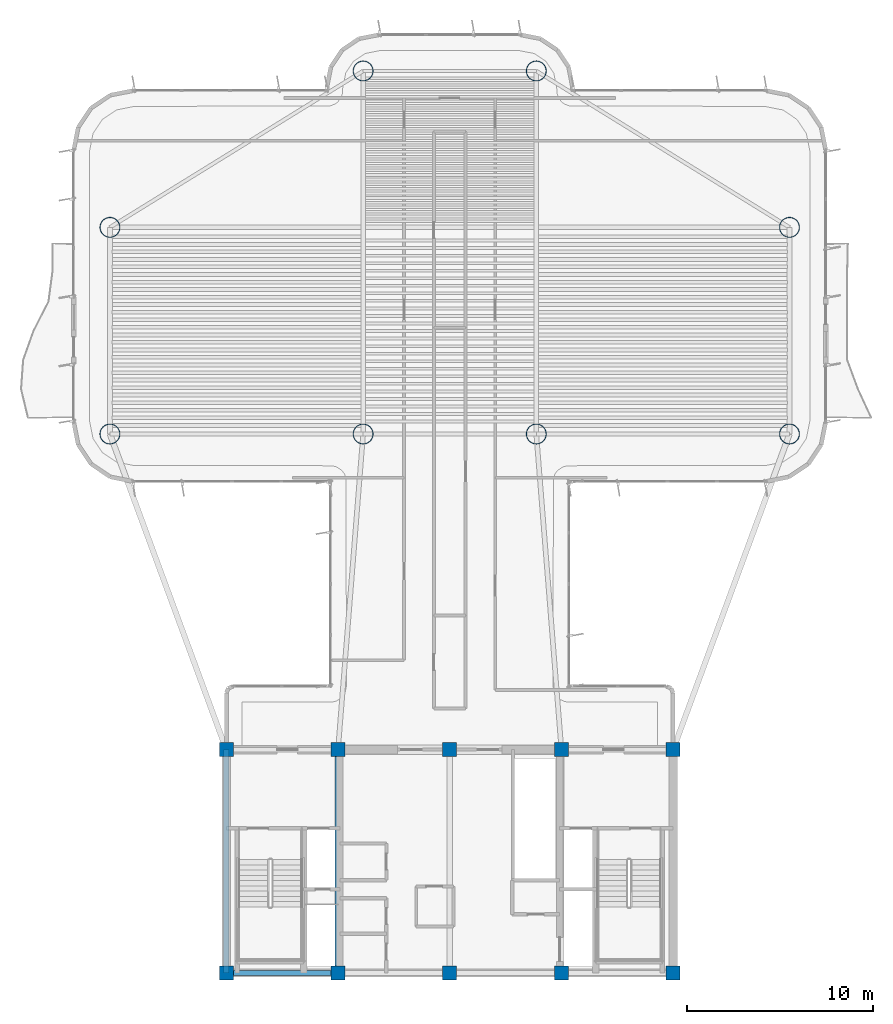
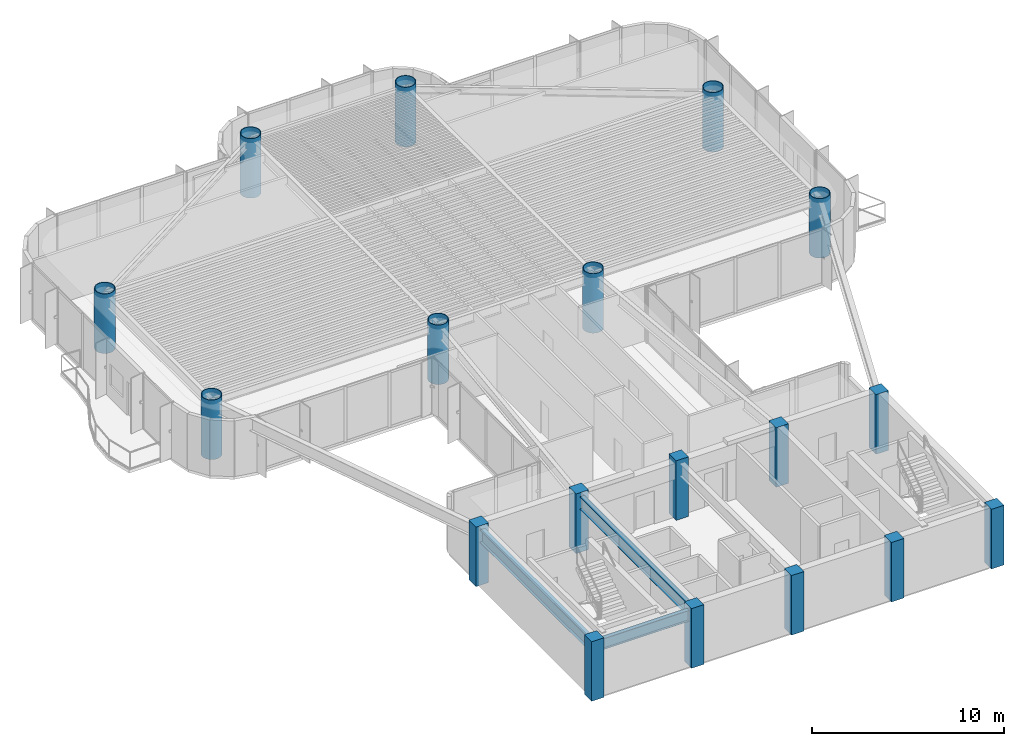
# One storey, part 1 of 13: 18 columns, 3 beams.
"""IFC4 building model written with IfcOpenShell, lengths in metres."""

from ifc_helpers import new_model, si_unit, direction, frame, origin, origin_2d, place, context, subcontext, project, spatial, rectangle, hollow_circle, i_section, extrude, source, transform, mapped, material, material_profile, profile_set, type_object, element, save


model = new_model("IFC4")

# Units and contexts
model_context = context("Model", 3, precision=1e-05, world=origin(), true_north=direction((0.0, 1.0)))
body_context = subcontext(model_context, "Body", "Model", "MODEL_VIEW")
ifc_project = project(units=[si_unit("LENGTHUNIT", "METRE"), si_unit("AREAUNIT", "SQUARE_METRE"), si_unit("VOLUMEUNIT", "CUBIC_METRE"), si_unit("PLANEANGLEUNIT", "RADIAN"), si_unit("MASSUNIT", "GRAM", prefix="KILO")], contexts=[model_context])

# Site, building, storey
site_placement = place(None, origin())
site = spatial("IfcSite", under=ifc_project, at=site_placement, CompositionType="ELEMENT")
building_placement = place(site_placement, origin())
building = spatial("IfcBuilding", under=site, at=building_placement, Name="Brelvock Crest Care Tower", CompositionType="ELEMENT")
storey_placement = place(building_placement, frame((0.0, 0.0, 190.43994140625)))
storey = spatial("IfcBuildingStorey", under=building, at=storey_placement, Name="L48", CompositionType="ELEMENT", Elevation=190.43994140625)

# Columns
ifc_material_1 = material(Name="Concrete S65 (65 MPa)", Category="concrete")
ifc_material_profile_1 = material_profile(ifc_material_1, rectangle(XDim=0.75, YDim=0.75, at=origin_2d()), Name="RC750x750")
ifc_profile_set_1 = profile_set([ifc_material_profile_1], Name="Concrete S65 (65 MPa)")
column_type_1 = type_object("IfcColumnType", Name="COL-RC3", PredefinedType="COLUMN", material=ifc_profile_set_1)
shared_shape_1 = source(origin(), body_context, "Body", "SweptSolid", [
    extrude(rectangle(XDim=0.75, YDim=0.75, at=origin_2d()), origin(), (0.0, 0.0, 1.0), 3.780029296875),
])
for number, where, z_axis, x_axis, name in (
    (1, (24.0, 6.0, 0.0), (0.0, 0.0, 1.0), (1.0, 0.0, 0.0), "L48 Core Column CC-01"),
    (2, (30.0, 6.0, 0.0), (0.0, 0.0, 1.0), (1.0, 0.0, 0.0), "L48 Core Column CC-02"),
    (3, (36.0, 6.0, 0.0), (0.0, 0.0, 1.0), (1.0, 0.0, 0.0), "L48 Core Column CC-03"),
    (4, (42.0, 6.0, 0.0), (0.0, 0.0, 1.0), (1.0, 0.0, 0.0), "L48 Core Column CC-04"),
    (5, (48.0, 6.0, 0.0), (0.0, 0.0, 1.0), (1.0, 0.0, 0.0), "L48 Core Column CC-05"),
    (6, (24.0, 18.0, 0.0), (0.0, 0.0, 1.0), (1.0, 0.0, 0.0), "L48 Core Column CC-06"),
    (7, (30.0, 18.0, 0.0), (0.0, 0.0, 1.0), (1.0, 0.0, 0.0), "L48 Core Column CC-07"),
    (8, (36.0, 18.0, 0.0), (0.0, 0.0, 1.0), (1.0, 0.0, 0.0), "L48 Core Column CC-08"),
    (9, (42.0, 18.0, 0.0), (0.0, 0.0, 1.0), (1.0, 0.0, 0.0), "L48 Core Column CC-09"),
    (10, (48.0, 18.0, 0.0), (0.0, 0.0, 1.0), (1.0, 0.0, 0.0), "L48 Core Column CC-10"),
):
    element("IfcColumn", number, at=place(storey_placement, frame(where, z_axis=z_axis, x_axis=x_axis)), inside=storey, type_object=column_type_1, Name=name, PredefinedType="COLUMN", context=body_context, shape_type="MappedRepresentation", body=[
        mapped(shared_shape_1, transform((0.0, 0.0, 0.0), x_axis=(1.0, 0.0, 0.0), y_axis=(0.0, 1.0, 0.0), z_axis=(0.0, 0.0, 1.0), scale=1.0)),
    ])
ifc_material_2 = material(Name="Steel Grade 350", Category="steel")
ifc_material_profile_2 = material_profile(ifc_material_2, hollow_circle(Radius=0.550048828125, WallThickness=0.0400390625, at=origin_2d()), Name="CFT1100x40")
ifc_profile_set_2 = profile_set([ifc_material_profile_2], Name="Steel Grade 350")
column_type_2 = type_object("IfcColumnType", Name="COL-MC3", PredefinedType="COLUMN", material=ifc_profile_set_2)
shared_shape_2 = source(origin(), body_context, "Body", "SweptSolid", [
    extrude(hollow_circle(Radius=0.550048828125, WallThickness=0.0400390625, at=origin_2d()), origin(), (0.0, 0.0, 1.0), 3.780029296875),
])
for number, where, z_axis, x_axis, name in (
    (11, (17.75, 34.949951171875, 0.0), (0.0, 0.0, 1.0), (1.0, 0.0, 0.0), "L48 Tower Column M1"),
    (12, (17.75, 46.050048828125, 0.0), (0.0, 0.0, 1.0), (1.0, 0.0, 0.0), "L48 Tower Column M2"),
    (13, (54.25, 34.949951171875, 0.0), (0.0, 0.0, 1.0), (1.0, 0.0, 0.0), "L48 Tower Column M3"),
    (14, (54.25, 46.050048828125, 0.0), (0.0, 0.0, 1.0), (1.0, 0.0, 0.0), "L48 Tower Column M4"),
    (15, (31.35009765625, 34.949951171875, 0.0), (0.0, 0.0, 1.0), (1.0, 0.0, 0.0), "L48 Tower Column M5"),
    (16, (40.64990234375, 34.949951171875, 0.0), (0.0, 0.0, 1.0), (1.0, 0.0, 0.0), "L48 Tower Column M6"),
    (17, (31.35009765625, 54.449951171875, 0.0), (0.0, 0.0, 1.0), (1.0, 0.0, 0.0), "L48 Tower Column M7"),
    (18, (40.64990234375, 54.449951171875, 0.0), (0.0, 0.0, 1.0), (1.0, 0.0, 0.0), "L48 Tower Column M8"),
):
    element("IfcColumn", number, at=place(storey_placement, frame(where, z_axis=z_axis, x_axis=x_axis)), inside=storey, type_object=column_type_2, Name=name, PredefinedType="COLUMN", context=body_context, shape_type="MappedRepresentation", body=[
        mapped(shared_shape_2, transform((0.0, 0.0, 0.0), x_axis=(1.0, 0.0, 0.0), y_axis=(0.0, 1.0, 0.0), z_axis=(0.0, 0.0, 1.0), scale=1.0)),
    ])

# Beams
ifc_material_profile_3 = material_profile(ifc_material_2, i_section(OverallWidth=0.25, OverallDepth=0.699951171875, WebThickness=0.011962890625, FlangeThickness=0.02001953125, at=origin_2d()), Name="700WB150")
ifc_profile_set_3 = profile_set([ifc_material_profile_3], Name="Steel Grade 350")
beam_type_1 = type_object("IfcBeamType", Name="BM-G4", PredefinedType="BEAM", material=ifc_profile_set_3)
shared_shape_3 = source(origin(), body_context, "Body", "SweptSolid", [
    extrude(i_section(OverallWidth=0.25, OverallDepth=0.699951171875, WebThickness=0.011962890625, FlangeThickness=0.02001953125, at=origin_2d()), origin(), (0.0, 0.0, 1.0), 6.0),
])
beam_placement = place(storey_placement, frame((24.0, 6.0, 3.18017578125), z_axis=(1.0, 0.0, 0.0), x_axis=(0.0, 1.0, 0.0)))
element("IfcBeam", 19, at=beam_placement, inside=storey, type_object=beam_type_1, Name="BM-CORES-L48-1", PredefinedType="BEAM", context=body_context, shape_type="MappedRepresentation", body=[
    mapped(shared_shape_3, transform((0.0, 0.0, 0.0), x_axis=(1.0, 0.0, 0.0), y_axis=(0.0, 1.0, 0.0), z_axis=(0.0, 0.0, 1.0), scale=1.0)),
])
ifc_material_profile_4 = material_profile(ifc_material_2, i_section(OverallWidth=0.300048828125, OverallDepth=0.800048828125, WebThickness=0.013916015625, FlangeThickness=0.02197265625, at=origin_2d()), Name="800WB192")
ifc_profile_set_4 = profile_set([ifc_material_profile_4], Name="Steel Grade 350")
beam_type_2 = type_object("IfcBeamType", Name="BM-G5", PredefinedType="BEAM", material=ifc_profile_set_4)
shared_shape_4 = source(origin(), body_context, "Body", "SweptSolid", [
    extrude(i_section(OverallWidth=0.300048828125, OverallDepth=0.800048828125, WebThickness=0.013916015625, FlangeThickness=0.02197265625, at=origin_2d()), origin(), (0.0, 0.0, 1.0), 12.0),
])
for number, where, z_axis, x_axis, name in (
    (20, (24.0, 6.0, 3.130126953125), (0.0, 1.0, 0.0), (-1.0, 0.0, 0.0), "BM-COREX-L48-1"),
    (21, (30.0, 6.0, 3.130126953125), (0.0, 1.0, 0.0), (-1.0, 0.0, 0.0), "BM-COREX-L48-2"),
):
    element("IfcBeam", number, at=place(storey_placement, frame(where, z_axis=z_axis, x_axis=x_axis)), inside=storey, type_object=beam_type_2, Name=name, PredefinedType="BEAM", context=body_context, shape_type="MappedRepresentation", body=[
        mapped(shared_shape_4, transform((0.0, 0.0, 0.0), x_axis=(1.0, 0.0, 0.0), y_axis=(0.0, 1.0, 0.0), z_axis=(0.0, 0.0, 1.0), scale=1.0)),
    ])

save(model, "model.ifc")
